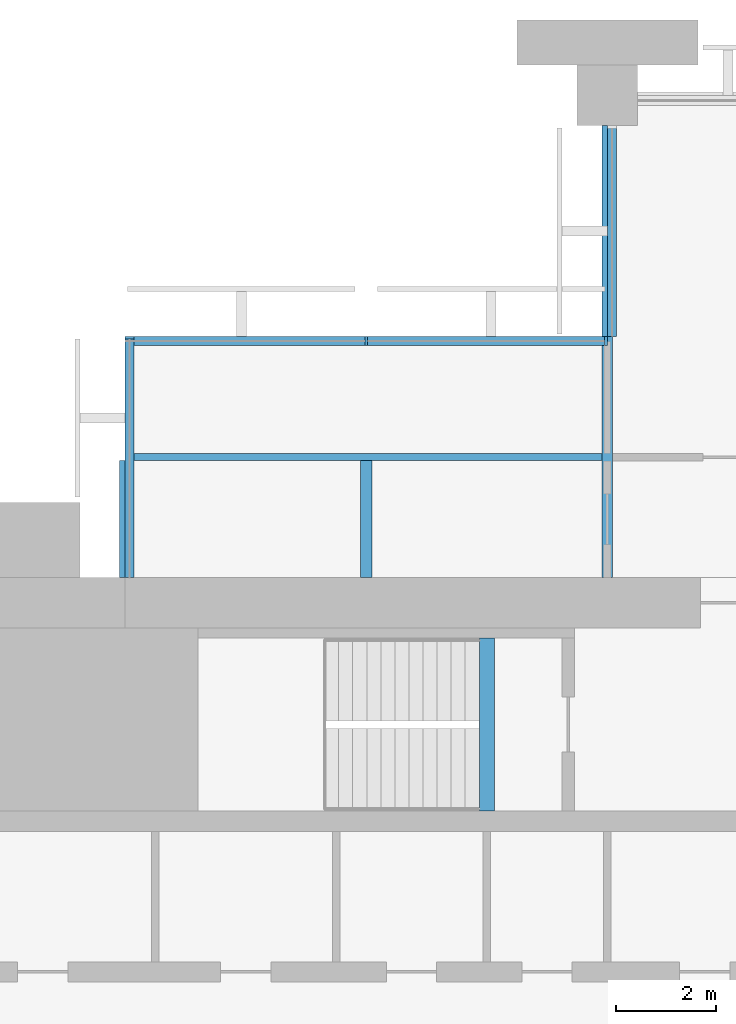
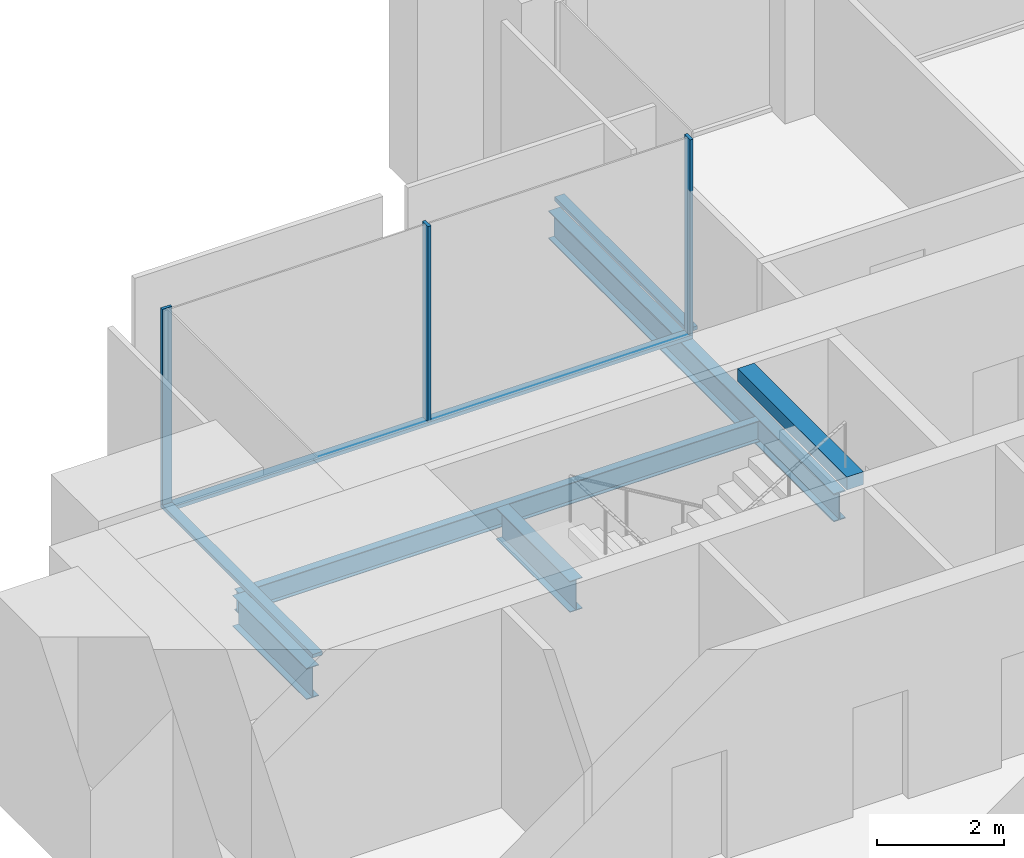
# One storey, part 5 of 14: 6 members, 5 beams, 3 elements without a shape of their own.
"""IFC4 building model written with IfcOpenShell, lengths in metres."""

from ifc_helpers import new_model, si_unit, direction, frame, origin, origin_2d, place, context, subcontext, project, spatial, rectangle, i_section, extrude, material, material_profile, profile_set, type_object, element, aggregate, save


model = new_model("IFC4")

# Units and contexts
model_context = context("Model", 3, precision=1e-05, world=origin(), true_north=direction((0.0, 1.0)))
body_context = subcontext(model_context, "Body", "Model", "MODEL_VIEW")
ifc_project = project(units=[si_unit("LENGTHUNIT", "METRE"), si_unit("AREAUNIT", "SQUARE_METRE"), si_unit("VOLUMEUNIT", "CUBIC_METRE"), si_unit("PLANEANGLEUNIT", "RADIAN"), si_unit("MASSUNIT", "GRAM", prefix="KILO")], contexts=[model_context])

# Site, building, storey
site_placement = place(None, origin())
site = spatial("IfcSite", under=ifc_project, at=site_placement, CompositionType="ELEMENT")
building_placement = place(site_placement, origin())
building = spatial("IfcBuilding", under=site, at=building_placement, Name="Baori Bourse Tower", CompositionType="ELEMENT")
storey_placement = place(building_placement, frame((0.0, 0.0, 124.10009765625)))
storey = spatial("IfcBuildingStorey", under=building, at=storey_placement, Name="L26", CompositionType="ELEMENT", Elevation=124.10009765625)

# Curtain wall, members
ifc_material_1 = material(Name="Pale anodised aluminium", Category="aluminium")
curtain_wall_type = type_object("IfcCurtainWallType", Name="CW2 Curtain wall", PredefinedType="NOTDEFINED", material=ifc_material_1)
curtain_wall_1_placement = place(storey_placement, origin())
curtain_wall_1 = element("IfcCurtainWall", 1, at=curtain_wall_1_placement, inside=storey, type_object=curtain_wall_type, Name="Curtain wall CW2 L26 6", PredefinedType="NOTDEFINED")
ifc_material_2 = material(Name="Pale anodised aluminium", Category="aluminium")
ifc_material_profile_1 = material_profile(ifc_material_2, rectangle(XDim=0.179931640625, YDim=0.054931640625, at=origin_2d()), Name="Mullion 55x180")
ifc_profile_set_1 = profile_set([ifc_material_profile_1], Name="Pale anodised aluminium")
member_type_1 = type_object("IfcMemberType", Name="CW2 Curtain wall mullion", PredefinedType="MULLION", material=ifc_profile_set_1)
member_1_placement = place(storey_placement, frame((14.37255859375, 43.110107421875, 0.06982421875), z_axis=(0.0, 0.0, 1.0), x_axis=(0.0, -1.0, 0.0)))
member_1 = element("IfcMember", 2, at=member_1_placement, type_object=member_type_1, Name="Curtain wall CW2 mullion", PredefinedType="MULLION", context=body_context, shape_type="SweptSolid", body=[
    extrude(rectangle(XDim=0.179931640625, YDim=0.054931640625, at=origin_2d()), origin(), (0.0, 0.0, 1.0), 3.77001953125),
])
member_2_placement = place(storey_placement, frame((9.60009765625, 43.110107421875, 0.06982421875), z_axis=(0.0, 0.0, 1.0), x_axis=(0.0, -1.0, 0.0)))
member_2 = element("IfcMember", 3, at=member_2_placement, type_object=member_type_1, Name="Curtain wall CW2 mullion", PredefinedType="MULLION", context=body_context, shape_type="SweptSolid", body=[
    extrude(rectangle(XDim=0.179931640625, YDim=0.054931640625, at=origin_2d()), origin(), (0.0, 0.0, 1.0), 3.77001953125),
])

# Curtain wall, member
curtain_wall_2_placement = place(storey_placement, origin())
curtain_wall_2 = element("IfcCurtainWall", 4, at=curtain_wall_2_placement, inside=storey, type_object=curtain_wall_type, Name="Curtain wall CW2 L26 7", PredefinedType="NOTDEFINED")
member_3_placement = place(storey_placement, frame((4.889892578125, 43.172607421875, 0.06982421875), z_axis=(0.0, 0.0, 1.0), x_axis=(1.0, 0.0, 0.0)))
member_3 = element("IfcMember", 5, at=member_3_placement, type_object=member_type_1, Name="Curtain wall CW2 mullion", PredefinedType="MULLION", context=body_context, shape_type="SweptSolid", body=[
    extrude(rectangle(XDim=0.179931640625, YDim=0.054931640625, at=origin_2d()), origin(), (0.0, 0.0, 1.0), 3.77001953125),
])

curtain_wall_3_placement = place(storey_placement, origin())
curtain_wall_3 = element("IfcCurtainWall", 6, at=curtain_wall_3_placement, inside=storey, type_object=curtain_wall_type, Name="Curtain wall CW2 L26 5", PredefinedType="NOTDEFINED")
ifc_material_3 = material(Name="Pale anodised aluminium", Category="aluminium")
ifc_material_profile_2 = material_profile(ifc_material_3, rectangle(XDim=0.179931640625, YDim=0.070068359375, at=origin_2d()), Name="Transom 70x180")
ifc_profile_set_2 = profile_set([ifc_material_profile_2], Name="Pale anodised aluminium")
member_type_2 = type_object("IfcMemberType", Name="CW2 Curtain wall transom", PredefinedType="USERDEFINED", material=ifc_profile_set_2)
member_4_placement = place(storey_placement, frame((14.489990234375, 47.39990234375, 0.034912109375), z_axis=(0.0, -1.0, 0.0), x_axis=(1.0, 0.0, 0.0)))
member_4 = element("IfcMember", 7, at=member_4_placement, type_object=member_type_2, Name="Curtain wall CW2 sill rail", ObjectType="TRANSOM", PredefinedType="USERDEFINED", context=body_context, shape_type="SweptSolid", body=[
    extrude(rectangle(XDim=0.179931640625, YDim=0.070068359375, at=origin_2d()), origin(), (0.0, 0.0, 1.0), 4.199951171875),
])
aggregate(curtain_wall_3, [member_4])

# Member
member_5_placement = place(storey_placement, frame((14.39990234375, 43.110107421875, 0.034912109375), z_axis=(-1.0, 0.0, 0.0), x_axis=(0.0, -1.0, 0.0)))
member_5 = element("IfcMember", 8, at=member_5_placement, type_object=member_type_2, Name="Curtain wall CW2 sill rail", ObjectType="TRANSOM", PredefinedType="USERDEFINED", context=body_context, shape_type="SweptSolid", body=[
    extrude(rectangle(XDim=0.179931640625, YDim=0.070068359375, at=origin_2d()), origin(), (0.0, 0.0, 1.0), 9.599853515625),
])

aggregate(curtain_wall_1, [member_5, member_1, member_2])

member_6_placement = place(storey_placement, frame((4.889892578125, 43.199951171875, 0.034912109375), z_axis=(0.0, -1.0, 0.0), x_axis=(1.0, 0.0, 0.0)))
member_6 = element("IfcMember", 9, at=member_6_placement, type_object=member_type_2, Name="Curtain wall CW2 sill rail", ObjectType="TRANSOM", PredefinedType="USERDEFINED", context=body_context, shape_type="SweptSolid", body=[
    extrude(rectangle(XDim=0.179931640625, YDim=0.070068359375, at=origin_2d()), origin(), (0.0, 0.0, 1.0), 4.800048828125),
])

aggregate(curtain_wall_2, [member_6, member_3])

# Beams
ifc_material_4 = material(Name="Steel A992 Gr 50", Category="steel")
ifc_material_profile_3 = material_profile(ifc_material_4, i_section(OverallWidth=0.227783203125, OverallDepth=0.60205078125, WebThickness=0.010498046875, FlangeThickness=0.014892578125, at=origin_2d()), Name="W24x68")
ifc_profile_set_3 = profile_set([ifc_material_profile_3], Name="Steel A992 Gr 50")
beam_type_1 = type_object("IfcBeamType", Name="Core bracket W24x68", PredefinedType="BEAM", material=ifc_profile_set_3)
for number, where, z_axis, x_axis, name in (
    (10, (4.800048828125, 38.39990234375, -0.461181640625), (0.0, 1.0, 0.0), (-1.0, 0.0, 0.0), "Core bracket L26"),
    (11, (9.60009765625, 38.39990234375, -0.461181640625), (0.0, 1.0, 0.0), (-1.0, 0.0, 0.0), "Core bracket L26"),
):
    element("IfcBeam", number, at=place(storey_placement, frame(where, z_axis=z_axis, x_axis=x_axis)), inside=storey, type_object=beam_type_1, Name=name, PredefinedType="BEAM", context=body_context, shape_type="SweptSolid", body=[
        extrude(i_section(OverallWidth=0.227783203125, OverallDepth=0.60205078125, WebThickness=0.010498046875, FlangeThickness=0.014892578125, at=origin_2d()), origin(), (0.0, 0.0, 1.0), 2.329833984375),
    ])
ifc_material_5 = material(Name="Steel A992 Gr 50", Category="steel")
ifc_material_profile_4 = material_profile(ifc_material_5, i_section(OverallWidth=0.21240234375, OverallDepth=0.54345703125, WebThickness=0.01318359375, FlangeThickness=0.021240234375, at=origin_2d()), Name="W21x83")
ifc_profile_set_4 = profile_set([ifc_material_profile_4], Name="Steel A992 Gr 50")
beam_type_2 = type_object("IfcBeamType", Name="Floor beam W21x83", PredefinedType="BEAM", material=ifc_profile_set_4)
beam_1_placement = place(storey_placement, frame((14.39990234375, 38.39990234375, -0.431884765625), z_axis=(0.0, 1.0, 0.0), x_axis=(-1.0, 0.0, 0.0)))
element("IfcBeam", 12, at=beam_1_placement, inside=storey, type_object=beam_type_2, Name="Floor beam L26", PredefinedType="BEAM", context=body_context, shape_type="SweptSolid", body=[
    extrude(i_section(OverallWidth=0.21240234375, OverallDepth=0.54345703125, WebThickness=0.01318359375, FlangeThickness=0.021240234375, at=origin_2d()), origin(), (0.0, 0.0, 1.0), 9.0),
])
ifc_material_6 = material(Name="Concrete f'c 50 MPa", Category="concrete")
ifc_material_profile_5 = material_profile(ifc_material_6, rectangle(XDim=0.300048828125, YDim=0.25, at=origin_2d()), Name="RC 300x250")
ifc_profile_set_5 = profile_set([ifc_material_profile_5], Name="Concrete f'c 50 MPa")
beam_type_3 = type_object("IfcBeamType", Name="Stair nib beam RC 300x250", PredefinedType="BEAM", material=ifc_profile_set_5)
beam_2_placement = place(storey_placement, frame((12.0, 33.75, 3.71484375), z_axis=(0.0, 1.0, 0.0), x_axis=(-1.0, 0.0, 0.0)))
element("IfcBeam", 13, at=beam_2_placement, inside=storey, type_object=beam_type_3, Name="Stair WB nib beam L27", PredefinedType="BEAM", context=body_context, shape_type="SweptSolid", body=[
    extrude(rectangle(XDim=0.300048828125, YDim=0.25, at=origin_2d()), origin(), (0.0, 0.0, 1.0), 3.449951171875),
])
ifc_material_7 = material(Name="Steel A992 Gr 50", Category="steel")
ifc_material_profile_6 = material_profile(ifc_material_7, i_section(OverallWidth=0.140380859375, OverallDepth=0.40380859375, WebThickness=0.007080078125, FlangeThickness=0.01123046875, at=origin_2d()), Name="W16x31")
ifc_profile_set_6 = profile_set([ifc_material_profile_6], Name="Steel A992 Gr 50")
beam_type_4 = type_object("IfcBeamType", Name="Trimmer beam W16x31", PredefinedType="BEAM", material=ifc_profile_set_6)
beam_3_placement = place(storey_placement, frame((4.800048828125, 40.800048828125, -0.362060546875), z_axis=(1.0, 0.0, 0.0), x_axis=(0.0, 1.0, 0.0)))
element("IfcBeam", 14, at=beam_3_placement, inside=storey, type_object=beam_type_4, Name="Trimmer beam L26", PredefinedType="BEAM", context=body_context, shape_type="SweptSolid", body=[
    extrude(i_section(OverallWidth=0.140380859375, OverallDepth=0.40380859375, WebThickness=0.007080078125, FlangeThickness=0.01123046875, at=origin_2d()), origin(), (0.0, 0.0, 1.0), 9.493896484375),
])

save(model, "model.ifc")
